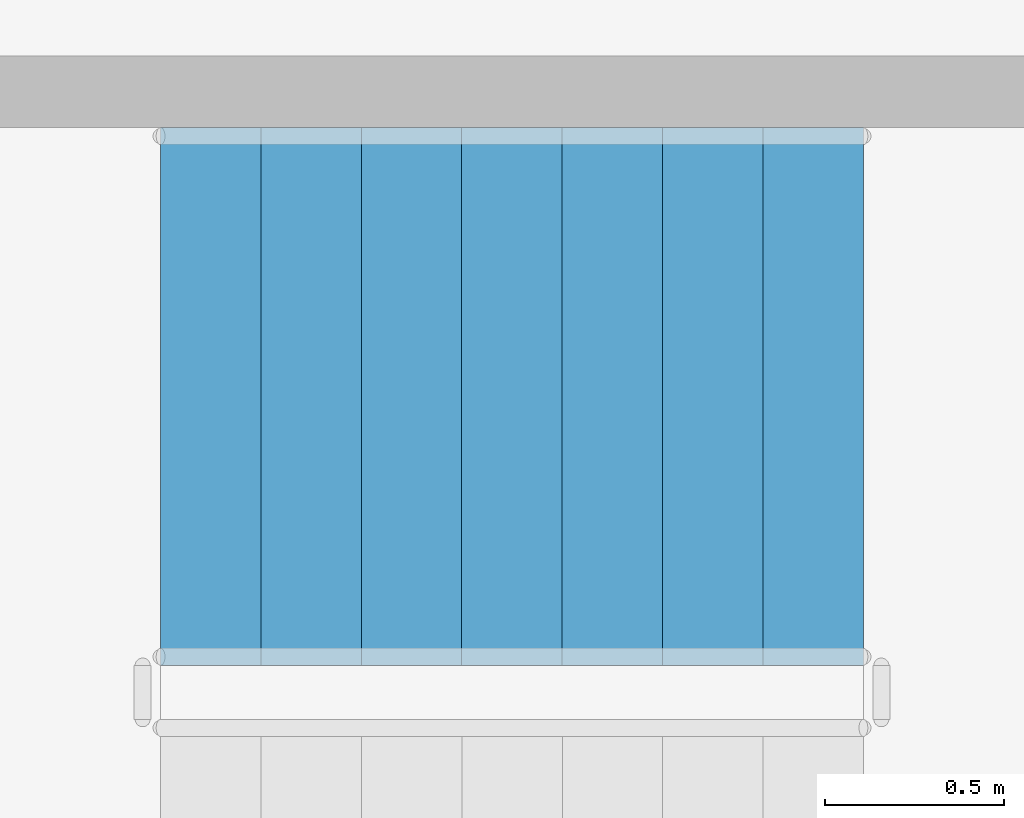
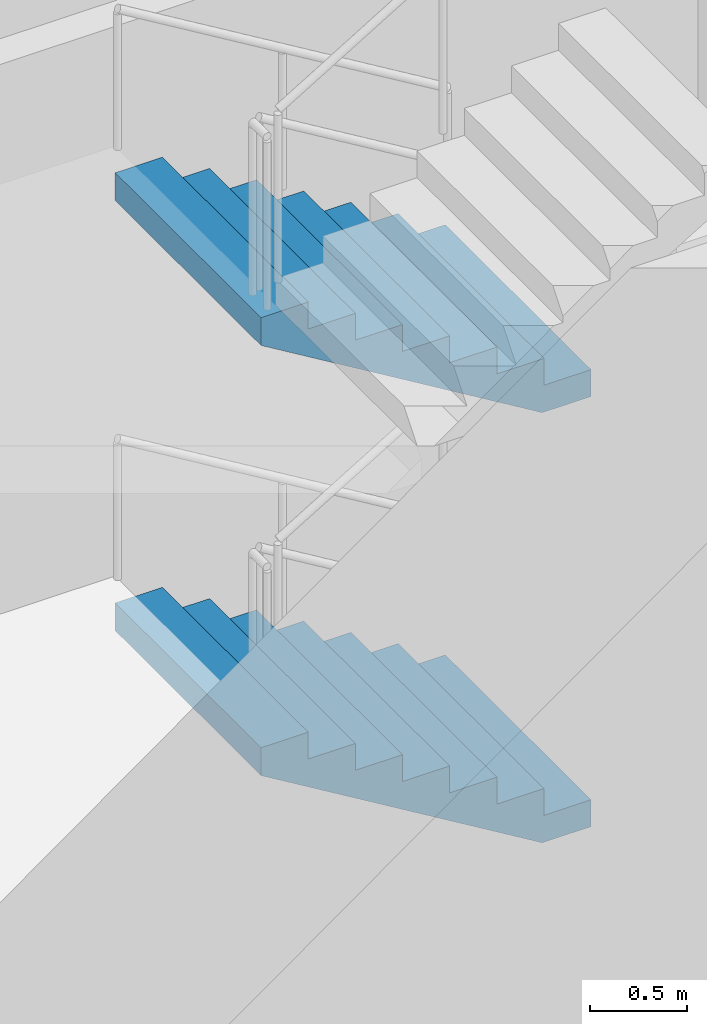
# One storey, part 58 of 101: 2 stair flights, 1 element without a shape of its own.
"""IFC4 building model written with IfcOpenShell, lengths in metres."""

from ifc_helpers import new_model, si_unit, direction, frame, origin, place, context, subcontext, project, spatial, triangles, material, type_object, element, aggregate, save


model = new_model("IFC4")

# Units and contexts
model_context = context("Model", 3, precision=1e-05, world=origin(), true_north=direction((0.0, 1.0)))
body_context = subcontext(model_context, "Body", "Model", "MODEL_VIEW")
ifc_project = project(units=[si_unit("LENGTHUNIT", "METRE"), si_unit("AREAUNIT", "SQUARE_METRE"), si_unit("VOLUMEUNIT", "CUBIC_METRE"), si_unit("PLANEANGLEUNIT", "RADIAN"), si_unit("MASSUNIT", "GRAM", prefix="KILO")], contexts=[model_context])

# Site, building, storey
site_placement = place(None, origin())
site = spatial("IfcSite", under=ifc_project, at=site_placement, CompositionType="ELEMENT")
building_placement = place(site_placement, origin())
building = spatial("IfcBuilding", under=site, at=building_placement, Name="Magnolia Steps Interchange", CompositionType="ELEMENT")
storey_placement = place(building_placement, frame((0.0, 0.0, -5.39990234375)))
storey = spatial("IfcBuildingStorey", under=building, at=storey_placement, Name="B1", CompositionType="ELEMENT", Elevation=-5.39990234375)

# Stair, stair flights
ifc_material_1 = material(Name="Concrete C40", Category="concrete")
stair_type = type_object("IfcStairType", Name="Exit stair 1500", PredefinedType="HALF_TURN_STAIR", material=ifc_material_1)
stair_placement = place(storey_placement, origin())
stair = element("IfcStair", 1, at=stair_placement, inside=storey, type_object=stair_type, Name="B1 Stair 1", PredefinedType="HALF_TURN_STAIR")
ifc_material_2 = material(Name="Concrete C40", Category="concrete")
stair_flight_type = type_object("IfcStairFlightType", Name="Exit stair flight", PredefinedType="STRAIGHT", material=ifc_material_2)
stair_flight_1_placement = place(storey_placement, frame((59.0, 77.699951171875, 0.0), z_axis=(0.0, 0.0, 1.0), x_axis=(-1.0, 0.0, 0.0)))
stair_flight_1 = element("IfcStairFlight", 2, at=stair_flight_1_placement, type_object=stair_flight_type, Name="Stair 1 flight 1", NumberOfRisers=8, NumberOfTreads=7, PredefinedType="STRAIGHT", RiserHeight=0.16875, TreadLength=0.28, context=body_context, shape_type="Tessellation", body=[
    triangles([(0.0, -0.75, 0.0), (0.29052734375, -0.75, 0.0), (1.9599609375, -0.75, 1.00634765625), (1.9599609375, -0.75, 1.18115234375), (1.679931640625, -0.75, 1.18115234375), (1.679931640625, -0.75, 1.012451171875), (1.39990234375, -0.75, 1.012451171875), (1.39990234375, -0.75, 0.84375), (1.1201171875, -0.75, 0.84375), (1.1201171875, -0.75, 0.675048828125), (0.840087890625, -0.75, 0.675048828125), (0.840087890625, -0.75, 0.50634765625), (0.56005859375, -0.75, 0.50634765625), (0.56005859375, -0.75, 0.33740234375), (0.280029296875, -0.75, 0.33740234375), (0.280029296875, -0.75, 0.168701171875), (0.0, -0.75, 0.168701171875), (0.0, 0.75, 0.0), (0.29052734375, 0.75, 0.0), (1.9599609375, 0.75, 1.00634765625), (1.9599609375, 0.75, 1.18115234375), (1.679931640625, 0.75, 1.18115234375), (1.679931640625, 0.75, 1.012451171875), (1.39990234375, 0.75, 1.012451171875), (1.39990234375, 0.75, 0.84375), (1.1201171875, 0.75, 0.84375), (1.1201171875, 0.75, 0.675048828125), (0.840087890625, 0.75, 0.675048828125), (0.840087890625, 0.75, 0.50634765625), (0.56005859375, 0.75, 0.50634765625), (0.56005859375, 0.75, 0.33740234375), (0.280029296875, 0.75, 0.33740234375), (0.280029296875, 0.75, 0.168701171875), (0.0, 0.75, 0.168701171875), (0.0, 0.0, 0.0), (0.0, 0.0, 0.04217529296875), (0.0, 0.0, 0.0843505859375), (0.0, 0.0, 0.12652587890625), (0.0, 0.0, 0.168701171875), (0.0, -0.05, 0.0), (0.0, -0.05, 0.168701171875), (0.0, 0.05, 0.0), (0.0, 0.05, 0.168701171875), (0.046671549479166664, 0.0, 0.168701171875), (0.09334309895833333, 0.0, 0.168701171875), (0.1400146484375, 0.0, 0.168701171875), (0.18668619791666666, 0.0, 0.168701171875), (0.23335774739583334, 0.0, 0.168701171875), (0.280029296875, 0.0, 0.168701171875), (0.280029296875, -0.05, 0.168701171875), (0.280029296875, 0.05, 0.168701171875), (0.280029296875, 0.0, 0.21087646484375), (0.280029296875, 0.0, 0.2530517578125), (0.280029296875, 0.0, 0.29522705078125), (0.280029296875, 0.0, 0.33740234375), (0.280029296875, -0.05, 0.33740234375), (0.280029296875, 0.05, 0.33740234375), (0.3267008463541667, 0.0, 0.33740234375), (0.3733723958333333, 0.0, 0.33740234375), (0.4200439453125, 0.0, 0.33740234375), (0.46671549479166663, 0.0, 0.33740234375), (0.5133870442708334, 0.0, 0.33740234375), (0.56005859375, 0.0, 0.33740234375), (0.56005859375, -0.05, 0.33740234375), (0.56005859375, 0.05, 0.33740234375), (0.56005859375, 0.0, 0.379638671875), (0.56005859375, 0.0, 0.421875), (0.56005859375, 0.0, 0.464111328125), (0.56005859375, 0.0, 0.50634765625), (0.56005859375, -0.05, 0.50634765625), (0.56005859375, 0.05, 0.50634765625), (0.6067301432291666, 0.0, 0.50634765625), (0.6534016927083334, 0.0, 0.50634765625), (0.7000732421875, 0.0, 0.50634765625), (0.7467447916666666, 0.0, 0.50634765625), (0.7934163411458334, 0.0, 0.50634765625), (0.840087890625, 0.0, 0.50634765625), (0.840087890625, -0.05, 0.50634765625), (0.840087890625, 0.05, 0.50634765625), (0.840087890625, 0.0, 0.54852294921875), (0.840087890625, 0.0, 0.5906982421875), (0.840087890625, 0.0, 0.63287353515625), (0.840087890625, 0.0, 0.675048828125), (0.840087890625, -0.05, 0.675048828125), (0.840087890625, 0.05, 0.675048828125), (0.8867594401041666, 0.0, 0.675048828125), (0.9334309895833334, 0.0, 0.675048828125), (0.9801025390625, 0.0, 0.675048828125), (1.0267740885416667, 0.0, 0.675048828125), (1.0734456380208333, 0.0, 0.675048828125), (1.1201171875, 0.0, 0.675048828125), (1.1201171875, -0.05, 0.675048828125), (1.1201171875, 0.05, 0.675048828125), (1.1201171875, 0.0, 0.71722412109375), (1.1201171875, 0.0, 0.7593994140625), (1.1201171875, 0.0, 0.80157470703125), (1.1201171875, 0.0, 0.84375), (1.1201171875, -0.05, 0.84375), (1.1201171875, 0.05, 0.84375), (1.1900634765625, 0.0, 0.84375), (1.260009765625, 0.0, 0.84375), (1.3299560546875, 0.0, 0.84375), (1.39990234375, 0.0, 0.84375), (1.39990234375, -0.05, 0.84375), (1.39990234375, 0.05, 0.84375), (1.39990234375, 0.0, 0.88592529296875), (1.39990234375, 0.0, 0.9281005859375), (1.39990234375, 0.0, 0.97027587890625), (1.39990234375, 0.0, 1.012451171875), (1.39990234375, -0.05, 1.012451171875), (1.39990234375, 0.05, 1.012451171875), (1.4465738932291667, 0.0, 1.012451171875), (1.4932454427083333, 0.0, 1.012451171875), (1.5399169921875, 0.0, 1.012451171875), (1.5865885416666667, 0.0, 1.012451171875), (1.6332600911458333, 0.0, 1.012451171875), (1.679931640625, 0.0, 1.012451171875), (1.679931640625, -0.05, 1.012451171875), (1.679931640625, 0.05, 1.012451171875), (1.679931640625, 0.0, 1.05462646484375), (1.679931640625, 0.0, 1.0968017578125), (1.679931640625, 0.0, 1.13897705078125), (1.679931640625, 0.0, 1.18115234375), (1.679931640625, -0.05, 1.18115234375), (1.679931640625, 0.05, 1.18115234375), (1.7266031901041667, 0.0, 1.18115234375), (1.7732747395833333, 0.0, 1.18115234375), (1.8199462890625, 0.0, 1.18115234375), (1.8666178385416667, 0.0, 1.18115234375), (1.9132893880208333, 0.0, 1.18115234375), (1.9599609375, 0.0, 1.18115234375), (1.9599609375, -0.05, 1.18115234375), (1.9599609375, 0.05, 1.18115234375), (1.9599609375, 0.0, 1.137451171875), (1.9599609375, 0.0, 1.09375), (1.9599609375, 0.0, 1.050048828125), (1.9599609375, 0.0, 1.00634765625), (1.9599609375, -0.05, 1.00634765625), (1.9599609375, 0.05, 1.00634765625), (1.9003383091517858, 0.0, 0.9704066685267857), (1.8407156808035714, 0.0, 0.9344656808035714), (1.7810930524553572, 0.0, 0.8985246930803571), (1.7214704241071428, 0.0, 0.8625837053571428), (1.6618477957589286, 0.0, 0.8266427176339286), (1.6022251674107144, 0.0, 0.7907017299107143), (1.5426025390625, 0.0, 0.7547607421875), (1.4829799107142856, 0.0, 0.7188197544642857), (1.4233572823660714, 0.0, 0.6828787667410714), (1.3637346540178572, 0.0, 0.6469377790178572), (1.3041120256696428, 0.0, 0.6109967912946428), (1.2444893973214286, 0.0, 0.5750558035714286), (1.1848667689732144, 0.0, 0.5391148158482143), (1.125244140625, 0.0, 0.503173828125), (1.0656215122767856, 0.0, 0.4672328404017857), (1.0059988839285714, 0.0, 0.4312918526785714), (0.9463762555803572, 0.0, 0.3953508649553571), (0.8867536272321428, 0.0, 0.3594098772321429), (0.8271309988839286, 0.0, 0.3234688895089286), (0.7675083705357142, 0.0, 0.2875279017857143), (0.7078857421875, 0.0, 0.2515869140625), (0.6482631138392858, 0.0, 0.2156459263392857), (0.5886404854910714, 0.0, 0.1797049386160714), (0.5290178571428572, 0.0, 0.1437639508928571), (0.4693952287946428, 0.0, 0.1078229631696429), (0.4097726004464286, 0.0, 0.0718819754464286), (0.3501499720982142, 0.0, 0.0359409877232143), (0.29052734375, 0.0, 0.0), (0.29052734375, -0.05, 0.0), (0.29052734375, 0.05, 0.0), (0.24210611979166666, 0.0, 0.0), (0.19368489583333331, 0.0, 0.0), (0.145263671875, 0.0, 0.0), (0.09684244791666666, 0.0, 0.0), (0.04842122395833334, 0.0, 0.0)], [[1, 2, 3], [3, 4, 5], [3, 5, 6], [3, 6, 7], [3, 7, 8], [8, 9, 10], [3, 8, 10], [10, 11, 12], [3, 10, 12], [12, 13, 14], [3, 12, 14], [14, 15, 16], [3, 14, 16], [1, 3, 16], [16, 17, 1], [18, 20, 19], [20, 22, 21], [20, 23, 22], [20, 24, 23], [20, 25, 24], [25, 27, 26], [20, 27, 25], [27, 29, 28], [20, 29, 27], [29, 31, 30], [20, 31, 29], [31, 33, 32], [20, 33, 31], [18, 33, 20], [33, 18, 34], [1, 17, 41], [1, 41, 40], [40, 36, 35], [40, 37, 36], [40, 41, 37], [41, 38, 37], [41, 39, 38], [18, 43, 34], [18, 42, 43], [42, 35, 36], [42, 36, 37], [42, 37, 43], [43, 37, 38], [43, 38, 39], [17, 16, 50], [17, 50, 41], [41, 44, 39], [41, 45, 44], [41, 46, 45], [41, 50, 46], [50, 47, 46], [50, 48, 47], [50, 49, 48], [34, 51, 33], [34, 43, 51], [43, 39, 44], [43, 44, 45], [43, 45, 46], [43, 46, 51], [51, 46, 47], [51, 47, 48], [51, 48, 49], [16, 15, 56], [16, 56, 50], [50, 52, 49], [50, 53, 52], [50, 56, 53], [56, 54, 53], [56, 55, 54], [33, 57, 32], [33, 51, 57], [51, 49, 52], [51, 52, 53], [51, 53, 57], [57, 53, 54], [57, 54, 55], [15, 14, 64], [15, 64, 56], [56, 58, 55], [56, 59, 58], [56, 60, 59], [56, 64, 60], [64, 61, 60], [64, 62, 61], [64, 63, 62], [32, 65, 31], [32, 57, 65], [57, 55, 58], [57, 58, 59], [57, 59, 60], [57, 60, 65], [65, 60, 61], [65, 61, 62], [65, 62, 63], [14, 13, 70], [14, 70, 64], [64, 66, 63], [64, 67, 66], [64, 70, 67], [70, 68, 67], [70, 69, 68], [31, 71, 30], [31, 65, 71], [65, 63, 66], [65, 66, 67], [65, 67, 71], [71, 67, 68], [71, 68, 69], [13, 12, 78], [13, 78, 70], [70, 72, 69], [70, 73, 72], [70, 74, 73], [70, 78, 74], [78, 75, 74], [78, 76, 75], [78, 77, 76], [30, 79, 29], [30, 71, 79], [71, 69, 72], [71, 72, 73], [71, 73, 74], [71, 74, 79], [79, 74, 75], [79, 75, 76], [79, 76, 77], [12, 11, 84], [12, 84, 78], [78, 80, 77], [78, 81, 80], [78, 84, 81], [84, 82, 81], [84, 83, 82], [29, 85, 28], [29, 79, 85], [79, 77, 80], [79, 80, 81], [79, 81, 85], [85, 81, 82], [85, 82, 83], [11, 10, 92], [11, 92, 84], [84, 86, 83], [84, 87, 86], [84, 88, 87], [84, 92, 88], [92, 89, 88], [92, 90, 89], [92, 91, 90], [28, 93, 27], [28, 85, 93], [85, 83, 86], [85, 86, 87], [85, 87, 88], [85, 88, 93], [93, 88, 89], [93, 89, 90], [93, 90, 91], [10, 9, 98], [10, 98, 92], [92, 94, 91], [92, 95, 94], [92, 98, 95], [98, 96, 95], [98, 97, 96], [27, 99, 26], [27, 93, 99], [93, 91, 94], [93, 94, 95], [93, 95, 99], [99, 95, 96], [99, 96, 97], [9, 8, 104], [9, 104, 98], [98, 100, 97], [98, 101, 100], [98, 104, 101], [104, 102, 101], [104, 103, 102], [26, 105, 25], [26, 99, 105], [99, 97, 100], [99, 100, 101], [99, 101, 105], [105, 101, 102], [105, 102, 103], [8, 7, 110], [8, 110, 104], [104, 106, 103], [104, 107, 106], [104, 110, 107], [110, 108, 107], [110, 109, 108], [25, 111, 24], [25, 105, 111], [105, 103, 106], [105, 106, 107], [105, 107, 111], [111, 107, 108], [111, 108, 109], [7, 6, 118], [7, 118, 110], [110, 112, 109], [110, 113, 112], [110, 114, 113], [110, 118, 114], [118, 115, 114], [118, 116, 115], [118, 117, 116], [24, 119, 23], [24, 111, 119], [111, 109, 112], [111, 112, 113], [111, 113, 114], [111, 114, 119], [119, 114, 115], [119, 115, 116], [119, 116, 117], [6, 5, 124], [6, 124, 118], [118, 120, 117], [118, 121, 120], [118, 124, 121], [124, 122, 121], [124, 123, 122], [23, 125, 22], [23, 119, 125], [119, 117, 120], [119, 120, 121], [119, 121, 125], [125, 121, 122], [125, 122, 123], [5, 4, 132], [5, 132, 124], [124, 126, 123], [124, 127, 126], [124, 128, 127], [124, 132, 128], [132, 129, 128], [132, 130, 129], [132, 131, 130], [22, 133, 21], [22, 125, 133], [125, 123, 126], [125, 126, 127], [125, 127, 128], [125, 128, 133], [133, 128, 129], [133, 129, 130], [133, 130, 131], [4, 3, 138], [4, 138, 132], [132, 134, 131], [132, 135, 134], [132, 138, 135], [138, 136, 135], [138, 137, 136], [21, 139, 20], [21, 133, 139], [133, 131, 134], [133, 134, 135], [133, 135, 139], [139, 135, 136], [139, 136, 137], [3, 2, 168], [3, 168, 138], [138, 140, 137], [138, 141, 140], [138, 142, 141], [138, 143, 142], [138, 144, 143], [138, 145, 144], [138, 146, 145], [138, 147, 146], [138, 148, 147], [138, 149, 148], [138, 150, 149], [138, 151, 150], [138, 152, 151], [138, 153, 152], [138, 168, 153], [168, 154, 153], [168, 155, 154], [168, 156, 155], [168, 157, 156], [168, 158, 157], [168, 159, 158], [168, 160, 159], [168, 161, 160], [168, 162, 161], [168, 163, 162], [168, 164, 163], [168, 165, 164], [168, 166, 165], [168, 167, 166], [20, 169, 19], [20, 139, 169], [139, 137, 140], [139, 140, 141], [139, 141, 142], [139, 142, 143], [139, 143, 144], [139, 144, 145], [139, 145, 146], [139, 146, 147], [139, 147, 148], [139, 148, 149], [139, 149, 150], [139, 150, 151], [139, 151, 152], [139, 152, 153], [139, 153, 169], [169, 153, 154], [169, 154, 155], [169, 155, 156], [169, 156, 157], [169, 157, 158], [169, 158, 159], [169, 159, 160], [169, 160, 161], [169, 161, 162], [169, 162, 163], [169, 163, 164], [169, 164, 165], [169, 165, 166], [169, 166, 167], [2, 1, 40], [2, 40, 168], [168, 170, 167], [168, 171, 170], [168, 172, 171], [168, 40, 172], [40, 173, 172], [40, 174, 173], [40, 35, 174], [19, 42, 18], [19, 169, 42], [169, 167, 170], [169, 170, 171], [169, 171, 172], [169, 172, 42], [42, 172, 173], [42, 173, 174], [42, 174, 35]], closed=True),
])
stair_flight_2_placement = place(storey_placement, frame((59.0, 77.699951171875, 2.699951171875), z_axis=(0.0, 0.0, 1.0), x_axis=(-1.0, 0.0, 0.0)))
stair_flight_2 = element("IfcStairFlight", 3, at=stair_flight_2_placement, type_object=stair_flight_type, Name="Stair 1 flight 3", NumberOfRisers=8, NumberOfTreads=7, PredefinedType="STRAIGHT", RiserHeight=0.16875, TreadLength=0.28, context=body_context, shape_type="Tessellation", body=[
    triangles([(0.0, -0.75, 0.0), (0.29052734375, -0.75, 0.0), (1.9599609375, -0.75, 1.00634765625), (1.9599609375, -0.75, 1.18115234375), (1.679931640625, -0.75, 1.18115234375), (1.679931640625, -0.75, 1.012451171875), (1.39990234375, -0.75, 1.012451171875), (1.39990234375, -0.75, 0.84375), (1.1201171875, -0.75, 0.84375), (1.1201171875, -0.75, 0.675048828125), (0.840087890625, -0.75, 0.675048828125), (0.840087890625, -0.75, 0.50634765625), (0.56005859375, -0.75, 0.50634765625), (0.56005859375, -0.75, 0.33740234375), (0.280029296875, -0.75, 0.33740234375), (0.280029296875, -0.75, 0.168701171875), (0.0, -0.75, 0.168701171875), (0.0, 0.75, 0.0), (0.29052734375, 0.75, 0.0), (1.9599609375, 0.75, 1.00634765625), (1.9599609375, 0.75, 1.18115234375), (1.679931640625, 0.75, 1.18115234375), (1.679931640625, 0.75, 1.012451171875), (1.39990234375, 0.75, 1.012451171875), (1.39990234375, 0.75, 0.84375), (1.1201171875, 0.75, 0.84375), (1.1201171875, 0.75, 0.675048828125), (0.840087890625, 0.75, 0.675048828125), (0.840087890625, 0.75, 0.50634765625), (0.56005859375, 0.75, 0.50634765625), (0.56005859375, 0.75, 0.33740234375), (0.280029296875, 0.75, 0.33740234375), (0.280029296875, 0.75, 0.168701171875), (0.0, 0.75, 0.168701171875), (0.0, 0.0, 0.0), (0.0, 0.0, 0.04217529296875), (0.0, 0.0, 0.0843505859375), (0.0, 0.0, 0.12652587890625), (0.0, 0.0, 0.168701171875), (0.0, -0.05, 0.0), (0.0, -0.05, 0.168701171875), (0.0, 0.05, 0.0), (0.0, 0.05, 0.168701171875), (0.046671549479166664, 0.0, 0.168701171875), (0.09334309895833333, 0.0, 0.168701171875), (0.1400146484375, 0.0, 0.168701171875), (0.18668619791666666, 0.0, 0.168701171875), (0.23335774739583334, 0.0, 0.168701171875), (0.280029296875, 0.0, 0.168701171875), (0.280029296875, -0.05, 0.168701171875), (0.280029296875, 0.05, 0.168701171875), (0.280029296875, 0.0, 0.21087646484375), (0.280029296875, 0.0, 0.2530517578125), (0.280029296875, 0.0, 0.29522705078125), (0.280029296875, 0.0, 0.33740234375), (0.280029296875, -0.05, 0.33740234375), (0.280029296875, 0.05, 0.33740234375), (0.3267008463541667, 0.0, 0.33740234375), (0.3733723958333333, 0.0, 0.33740234375), (0.4200439453125, 0.0, 0.33740234375), (0.46671549479166663, 0.0, 0.33740234375), (0.5133870442708334, 0.0, 0.33740234375), (0.56005859375, 0.0, 0.33740234375), (0.56005859375, -0.05, 0.33740234375), (0.56005859375, 0.05, 0.33740234375), (0.56005859375, 0.0, 0.379638671875), (0.56005859375, 0.0, 0.421875), (0.56005859375, 0.0, 0.464111328125), (0.56005859375, 0.0, 0.50634765625), (0.56005859375, -0.05, 0.50634765625), (0.56005859375, 0.05, 0.50634765625), (0.6067301432291666, 0.0, 0.50634765625), (0.6534016927083334, 0.0, 0.50634765625), (0.7000732421875, 0.0, 0.50634765625), (0.7467447916666666, 0.0, 0.50634765625), (0.7934163411458334, 0.0, 0.50634765625), (0.840087890625, 0.0, 0.50634765625), (0.840087890625, -0.05, 0.50634765625), (0.840087890625, 0.05, 0.50634765625), (0.840087890625, 0.0, 0.54852294921875), (0.840087890625, 0.0, 0.5906982421875), (0.840087890625, 0.0, 0.63287353515625), (0.840087890625, 0.0, 0.675048828125), (0.840087890625, -0.05, 0.675048828125), (0.840087890625, 0.05, 0.675048828125), (0.8867594401041666, 0.0, 0.675048828125), (0.9334309895833334, 0.0, 0.675048828125), (0.9801025390625, 0.0, 0.675048828125), (1.0267740885416667, 0.0, 0.675048828125), (1.0734456380208333, 0.0, 0.675048828125), (1.1201171875, 0.0, 0.675048828125), (1.1201171875, -0.05, 0.675048828125), (1.1201171875, 0.05, 0.675048828125), (1.1201171875, 0.0, 0.71722412109375), (1.1201171875, 0.0, 0.7593994140625), (1.1201171875, 0.0, 0.80157470703125), (1.1201171875, 0.0, 0.84375), (1.1201171875, -0.05, 0.84375), (1.1201171875, 0.05, 0.84375), (1.1900634765625, 0.0, 0.84375), (1.260009765625, 0.0, 0.84375), (1.3299560546875, 0.0, 0.84375), (1.39990234375, 0.0, 0.84375), (1.39990234375, -0.05, 0.84375), (1.39990234375, 0.05, 0.84375), (1.39990234375, 0.0, 0.88592529296875), (1.39990234375, 0.0, 0.9281005859375), (1.39990234375, 0.0, 0.97027587890625), (1.39990234375, 0.0, 1.012451171875), (1.39990234375, -0.05, 1.012451171875), (1.39990234375, 0.05, 1.012451171875), (1.4465738932291667, 0.0, 1.012451171875), (1.4932454427083333, 0.0, 1.012451171875), (1.5399169921875, 0.0, 1.012451171875), (1.5865885416666667, 0.0, 1.012451171875), (1.6332600911458333, 0.0, 1.012451171875), (1.679931640625, 0.0, 1.012451171875), (1.679931640625, -0.05, 1.012451171875), (1.679931640625, 0.05, 1.012451171875), (1.679931640625, 0.0, 1.05462646484375), (1.679931640625, 0.0, 1.0968017578125), (1.679931640625, 0.0, 1.13897705078125), (1.679931640625, 0.0, 1.18115234375), (1.679931640625, -0.05, 1.18115234375), (1.679931640625, 0.05, 1.18115234375), (1.7266031901041667, 0.0, 1.18115234375), (1.7732747395833333, 0.0, 1.18115234375), (1.8199462890625, 0.0, 1.18115234375), (1.8666178385416667, 0.0, 1.18115234375), (1.9132893880208333, 0.0, 1.18115234375), (1.9599609375, 0.0, 1.18115234375), (1.9599609375, -0.05, 1.18115234375), (1.9599609375, 0.05, 1.18115234375), (1.9599609375, 0.0, 1.137451171875), (1.9599609375, 0.0, 1.09375), (1.9599609375, 0.0, 1.050048828125), (1.9599609375, 0.0, 1.00634765625), (1.9599609375, -0.05, 1.00634765625), (1.9599609375, 0.05, 1.00634765625), (1.9003383091517858, 0.0, 0.9704066685267857), (1.8407156808035714, 0.0, 0.9344656808035714), (1.7810930524553572, 0.0, 0.8985246930803571), (1.7214704241071428, 0.0, 0.8625837053571428), (1.6618477957589286, 0.0, 0.8266427176339286), (1.6022251674107144, 0.0, 0.7907017299107143), (1.5426025390625, 0.0, 0.7547607421875), (1.4829799107142856, 0.0, 0.7188197544642857), (1.4233572823660714, 0.0, 0.6828787667410714), (1.3637346540178572, 0.0, 0.6469377790178572), (1.3041120256696428, 0.0, 0.6109967912946428), (1.2444893973214286, 0.0, 0.5750558035714286), (1.1848667689732144, 0.0, 0.5391148158482143), (1.125244140625, 0.0, 0.503173828125), (1.0656215122767856, 0.0, 0.4672328404017857), (1.0059988839285714, 0.0, 0.4312918526785714), (0.9463762555803572, 0.0, 0.3953508649553571), (0.8867536272321428, 0.0, 0.3594098772321429), (0.8271309988839286, 0.0, 0.3234688895089286), (0.7675083705357142, 0.0, 0.2875279017857143), (0.7078857421875, 0.0, 0.2515869140625), (0.6482631138392858, 0.0, 0.2156459263392857), (0.5886404854910714, 0.0, 0.1797049386160714), (0.5290178571428572, 0.0, 0.1437639508928571), (0.4693952287946428, 0.0, 0.1078229631696429), (0.4097726004464286, 0.0, 0.0718819754464286), (0.3501499720982142, 0.0, 0.0359409877232143), (0.29052734375, 0.0, 0.0), (0.29052734375, -0.05, 0.0), (0.29052734375, 0.05, 0.0), (0.24210611979166666, 0.0, 0.0), (0.19368489583333331, 0.0, 0.0), (0.145263671875, 0.0, 0.0), (0.09684244791666666, 0.0, 0.0), (0.04842122395833334, 0.0, 0.0)], [[1, 2, 3], [3, 4, 5], [3, 5, 6], [3, 6, 7], [3, 7, 8], [8, 9, 10], [3, 8, 10], [10, 11, 12], [3, 10, 12], [12, 13, 14], [3, 12, 14], [14, 15, 16], [3, 14, 16], [1, 3, 16], [16, 17, 1], [18, 20, 19], [20, 22, 21], [20, 23, 22], [20, 24, 23], [20, 25, 24], [25, 27, 26], [20, 27, 25], [27, 29, 28], [20, 29, 27], [29, 31, 30], [20, 31, 29], [31, 33, 32], [20, 33, 31], [18, 33, 20], [33, 18, 34], [1, 17, 41], [1, 41, 40], [40, 36, 35], [40, 37, 36], [40, 41, 37], [41, 38, 37], [41, 39, 38], [18, 43, 34], [18, 42, 43], [42, 35, 36], [42, 36, 37], [42, 37, 43], [43, 37, 38], [43, 38, 39], [17, 16, 50], [17, 50, 41], [41, 44, 39], [41, 45, 44], [41, 46, 45], [41, 50, 46], [50, 47, 46], [50, 48, 47], [50, 49, 48], [34, 51, 33], [34, 43, 51], [43, 39, 44], [43, 44, 45], [43, 45, 46], [43, 46, 51], [51, 46, 47], [51, 47, 48], [51, 48, 49], [16, 15, 56], [16, 56, 50], [50, 52, 49], [50, 53, 52], [50, 56, 53], [56, 54, 53], [56, 55, 54], [33, 57, 32], [33, 51, 57], [51, 49, 52], [51, 52, 53], [51, 53, 57], [57, 53, 54], [57, 54, 55], [15, 14, 64], [15, 64, 56], [56, 58, 55], [56, 59, 58], [56, 60, 59], [56, 64, 60], [64, 61, 60], [64, 62, 61], [64, 63, 62], [32, 65, 31], [32, 57, 65], [57, 55, 58], [57, 58, 59], [57, 59, 60], [57, 60, 65], [65, 60, 61], [65, 61, 62], [65, 62, 63], [14, 13, 70], [14, 70, 64], [64, 66, 63], [64, 67, 66], [64, 70, 67], [70, 68, 67], [70, 69, 68], [31, 71, 30], [31, 65, 71], [65, 63, 66], [65, 66, 67], [65, 67, 71], [71, 67, 68], [71, 68, 69], [13, 12, 78], [13, 78, 70], [70, 72, 69], [70, 73, 72], [70, 74, 73], [70, 78, 74], [78, 75, 74], [78, 76, 75], [78, 77, 76], [30, 79, 29], [30, 71, 79], [71, 69, 72], [71, 72, 73], [71, 73, 74], [71, 74, 79], [79, 74, 75], [79, 75, 76], [79, 76, 77], [12, 11, 84], [12, 84, 78], [78, 80, 77], [78, 81, 80], [78, 84, 81], [84, 82, 81], [84, 83, 82], [29, 85, 28], [29, 79, 85], [79, 77, 80], [79, 80, 81], [79, 81, 85], [85, 81, 82], [85, 82, 83], [11, 10, 92], [11, 92, 84], [84, 86, 83], [84, 87, 86], [84, 88, 87], [84, 92, 88], [92, 89, 88], [92, 90, 89], [92, 91, 90], [28, 93, 27], [28, 85, 93], [85, 83, 86], [85, 86, 87], [85, 87, 88], [85, 88, 93], [93, 88, 89], [93, 89, 90], [93, 90, 91], [10, 9, 98], [10, 98, 92], [92, 94, 91], [92, 95, 94], [92, 98, 95], [98, 96, 95], [98, 97, 96], [27, 99, 26], [27, 93, 99], [93, 91, 94], [93, 94, 95], [93, 95, 99], [99, 95, 96], [99, 96, 97], [9, 8, 104], [9, 104, 98], [98, 100, 97], [98, 101, 100], [98, 104, 101], [104, 102, 101], [104, 103, 102], [26, 105, 25], [26, 99, 105], [99, 97, 100], [99, 100, 101], [99, 101, 105], [105, 101, 102], [105, 102, 103], [8, 7, 110], [8, 110, 104], [104, 106, 103], [104, 107, 106], [104, 110, 107], [110, 108, 107], [110, 109, 108], [25, 111, 24], [25, 105, 111], [105, 103, 106], [105, 106, 107], [105, 107, 111], [111, 107, 108], [111, 108, 109], [7, 6, 118], [7, 118, 110], [110, 112, 109], [110, 113, 112], [110, 114, 113], [110, 118, 114], [118, 115, 114], [118, 116, 115], [118, 117, 116], [24, 119, 23], [24, 111, 119], [111, 109, 112], [111, 112, 113], [111, 113, 114], [111, 114, 119], [119, 114, 115], [119, 115, 116], [119, 116, 117], [6, 5, 124], [6, 124, 118], [118, 120, 117], [118, 121, 120], [118, 124, 121], [124, 122, 121], [124, 123, 122], [23, 125, 22], [23, 119, 125], [119, 117, 120], [119, 120, 121], [119, 121, 125], [125, 121, 122], [125, 122, 123], [5, 4, 132], [5, 132, 124], [124, 126, 123], [124, 127, 126], [124, 128, 127], [124, 132, 128], [132, 129, 128], [132, 130, 129], [132, 131, 130], [22, 133, 21], [22, 125, 133], [125, 123, 126], [125, 126, 127], [125, 127, 128], [125, 128, 133], [133, 128, 129], [133, 129, 130], [133, 130, 131], [4, 3, 138], [4, 138, 132], [132, 134, 131], [132, 135, 134], [132, 138, 135], [138, 136, 135], [138, 137, 136], [21, 139, 20], [21, 133, 139], [133, 131, 134], [133, 134, 135], [133, 135, 139], [139, 135, 136], [139, 136, 137], [3, 2, 168], [3, 168, 138], [138, 140, 137], [138, 141, 140], [138, 142, 141], [138, 143, 142], [138, 144, 143], [138, 145, 144], [138, 146, 145], [138, 147, 146], [138, 148, 147], [138, 149, 148], [138, 150, 149], [138, 151, 150], [138, 152, 151], [138, 153, 152], [138, 168, 153], [168, 154, 153], [168, 155, 154], [168, 156, 155], [168, 157, 156], [168, 158, 157], [168, 159, 158], [168, 160, 159], [168, 161, 160], [168, 162, 161], [168, 163, 162], [168, 164, 163], [168, 165, 164], [168, 166, 165], [168, 167, 166], [20, 169, 19], [20, 139, 169], [139, 137, 140], [139, 140, 141], [139, 141, 142], [139, 142, 143], [139, 143, 144], [139, 144, 145], [139, 145, 146], [139, 146, 147], [139, 147, 148], [139, 148, 149], [139, 149, 150], [139, 150, 151], [139, 151, 152], [139, 152, 153], [139, 153, 169], [169, 153, 154], [169, 154, 155], [169, 155, 156], [169, 156, 157], [169, 157, 158], [169, 158, 159], [169, 159, 160], [169, 160, 161], [169, 161, 162], [169, 162, 163], [169, 163, 164], [169, 164, 165], [169, 165, 166], [169, 166, 167], [2, 1, 40], [2, 40, 168], [168, 170, 167], [168, 171, 170], [168, 172, 171], [168, 40, 172], [40, 173, 172], [40, 174, 173], [40, 35, 174], [19, 42, 18], [19, 169, 42], [169, 167, 170], [169, 170, 171], [169, 171, 172], [169, 172, 42], [42, 172, 173], [42, 173, 174], [42, 174, 35]], closed=True),
])
aggregate(stair, [stair_flight_1, stair_flight_2])

save(model, "model.ifc")
